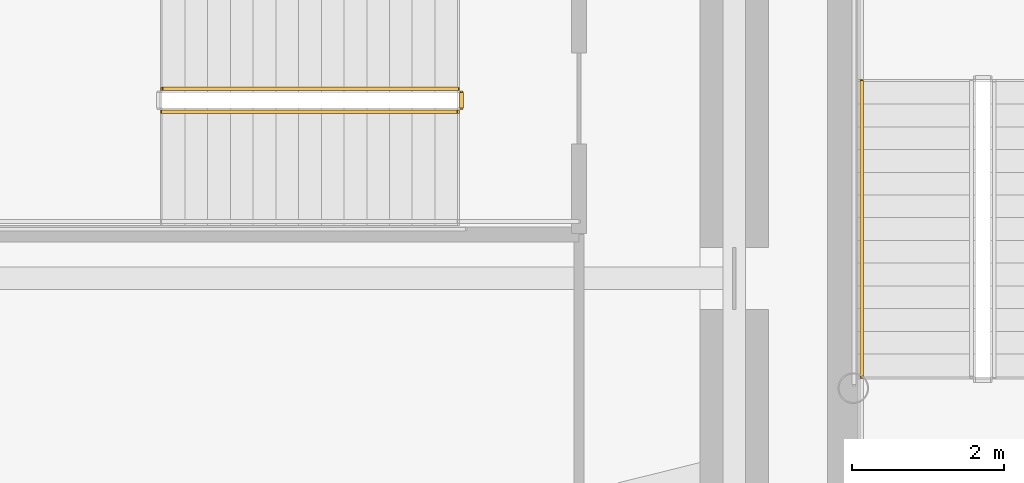
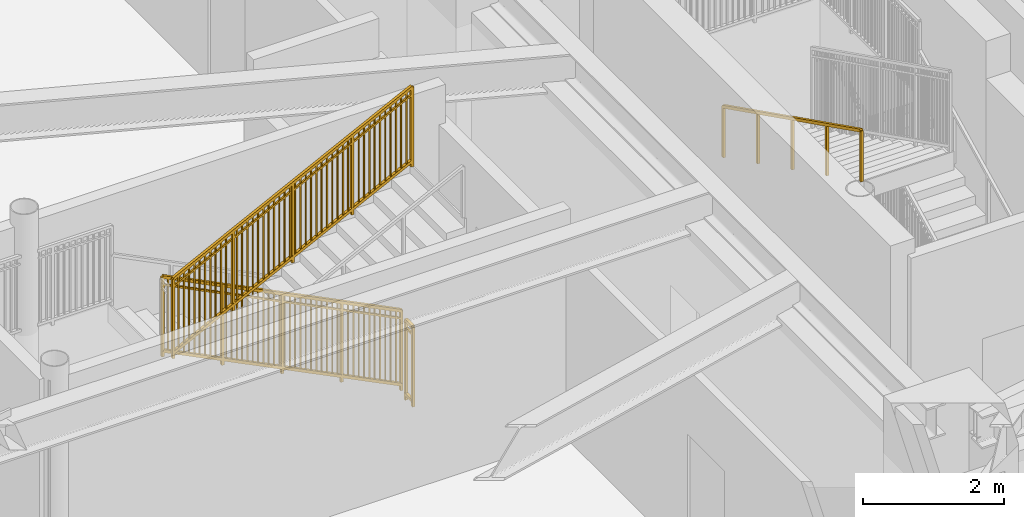
# One storey, part 26 of 35: 4 railings.
"""IFC4 building model written with IfcOpenShell, lengths in metres."""

from ifc_helpers import new_model, si_unit, direction, frame, origin, origin_2d, place, context, subcontext, project, spatial, rectangle, extrude, source, transform, mapped, material, type_object, element, save


model = new_model("IFC4")

# Units and contexts
model_context = context("Model", 3, precision=1e-05, world=origin(), true_north=direction((0.0, 1.0)))
body_context = subcontext(model_context, "Body", "Model", "MODEL_VIEW")
ifc_project = project(units=[si_unit("LENGTHUNIT", "METRE"), si_unit("AREAUNIT", "SQUARE_METRE"), si_unit("VOLUMEUNIT", "CUBIC_METRE"), si_unit("PLANEANGLEUNIT", "RADIAN"), si_unit("MASSUNIT", "GRAM", prefix="KILO")], contexts=[model_context])

# Site, building, storey
site_placement = place(None, origin())
site = spatial("IfcSite", under=ifc_project, at=site_placement, CompositionType="ELEMENT")
building_placement = place(site_placement, origin())
building = spatial("IfcBuilding", under=site, at=building_placement, Name="Linh Dai School and Residence Tower", CompositionType="ELEMENT")
storey_placement = place(building_placement, frame((0.0, 0.0, 32.39990234375)))
storey = spatial("IfcBuildingStorey", under=building, at=storey_placement, Name="L07", CompositionType="ELEMENT", Elevation=32.39990234375)

# Railings
ifc_material_1 = material(Name="Brushed Stainless Steel Handrail", Category="steel")
railing_type_1 = type_object("IfcRailingType", Name="RL-ST-HANDRAIL-900", PredefinedType="HANDRAIL", material=ifc_material_1)
shared_shape_1 = source(origin(), body_context, "Body", "SweptSolid", [
    extrude(rectangle(XDim=0.048095703125, YDim=0.048095703125, at=origin_2d()), frame((0.0, 0.0, 0.8759765625), z_axis=(0.0, -0.894415993023, 0.447235990752), x_axis=(1.0, 0.0, 0.0)), (0.0, 0.0, 1.0), 4.360595703125),
    extrude(rectangle(XDim=0.0419921875, YDim=0.0419921875, at=origin_2d()), origin(), (0.0, 0.0, 1.0), 0.8759765625),
    extrude(rectangle(XDim=0.0419921875, YDim=0.0419921875, at=origin_2d()), frame((0.0, -0.97509765625, 0.487548828125)), (0.0, 0.0, 1.0), 0.8759765625),
    extrude(rectangle(XDim=0.0419921875, YDim=0.0419921875, at=origin_2d()), frame((0.0, -1.9501953125, 0.97509765625)), (0.0, 0.0, 1.0), 0.8759765625),
    extrude(rectangle(XDim=0.0419921875, YDim=0.0419921875, at=origin_2d()), frame((0.0, -2.925048828125, 1.462646484375)), (0.0, 0.0, 1.0), 0.8759765625),
    extrude(rectangle(XDim=0.0419921875, YDim=0.0419921875, at=origin_2d()), frame((0.0, -3.900146484375, 1.9501953125)), (0.0, 0.0, 1.0), 0.8759765625),
])
railing_1_placement = place(storey_placement, frame((27.72998046875, 29.60009765625, 2.25)))
element("IfcRailing", 1, at=railing_1_placement, inside=storey, type_object=railing_type_1, Name="L07 ST1 stair handrail 2", PredefinedType="HANDRAIL", context=body_context, shape_type="MappedRepresentation", body=[
    mapped(shared_shape_1, transform((0.0, 0.0, 0.0), x_axis=(1.0, 0.0, 0.0), y_axis=(0.0, 1.0, 0.0), z_axis=(0.0, 0.0, 1.0), scale=1.0)),
])
ifc_material_2 = material(Name="Structural Steel S355JR", Category="steel")
railing_type_2 = type_object("IfcRailingType", Name="RL-ST-GUARD-1400", PredefinedType="GUARDRAIL", material=ifc_material_2)
shared_shape_2 = source(origin(), body_context, "Body", "SweptSolid", [
    extrude(rectangle(XDim=0.048095703125, YDim=0.048095703125, at=origin_2d()), frame((0.0, 0.0, 1.3759765625), z_axis=(0.0, -1.0, 0.0), x_axis=(1.0, 0.0, 0.0)), (0.0, 0.0, 1.0), 0.199951171875),
    extrude(rectangle(XDim=0.048095703125, YDim=0.048095703125, at=origin_2d()), frame((0.0, 0.0, 0.10009765625), z_axis=(0.0, -1.0, 0.0), x_axis=(1.0, 0.0, 0.0)), (0.0, 0.0, 1.0), 0.199951171875),
    extrude(rectangle(XDim=0.030029296875, YDim=0.030029296875, at=origin_2d()), frame((0.0, 0.0, 1.239990234375), z_axis=(0.0, -1.0, 0.0), x_axis=(1.0, 0.0, 0.0)), (0.0, 0.0, 1.0), 0.199951171875),
    extrude(rectangle(XDim=0.0419921875, YDim=0.0419921875, at=origin_2d()), origin(), (0.0, 0.0, 1.0), 1.3759765625),
    extrude(rectangle(XDim=0.0419921875, YDim=0.0419921875, at=origin_2d()), frame((0.0, -0.199951171875, 0.0)), (0.0, 0.0, 1.0), 1.3759765625),
])
railing_2_placement = place(storey_placement, frame((22.449951171875, 29.449951171875, 0.0)))
element("IfcRailing", 2, at=railing_2_placement, inside=storey, type_object=railing_type_2, Name="L07 STS1 stair guard 7", PredefinedType="GUARDRAIL", context=body_context, shape_type="MappedRepresentation", body=[
    mapped(shared_shape_2, transform((0.0, 0.0, 0.0), x_axis=(1.0, 0.0, 0.0), y_axis=(0.0, 1.0, 0.0), z_axis=(0.0, 0.0, 1.0), scale=1.0)),
])
shared_shape_3 = source(origin(), body_context, "Body", "SweptSolid", [
    extrude(rectangle(XDim=0.048095703125, YDim=0.048095703125, at=origin_2d()), frame((0.0, 0.0, 1.3759765625), z_axis=(-0.894427191, 0.0, 0.4472135955), x_axis=(0.0, -1.0, 0.0)), (0.0, 0.0, 1.0), 4.360107421875),
    extrude(rectangle(XDim=0.048095703125, YDim=0.048095703125, at=origin_2d()), frame((0.0, 0.0, 0.10009765625), z_axis=(-0.894427191, 0.0, 0.4472135955), x_axis=(0.0, -1.0, 0.0)), (0.0, 0.0, 1.0), 4.360107421875),
    extrude(rectangle(XDim=0.030029296875, YDim=0.030029296875, at=origin_2d()), frame((0.0, 0.0, 1.239990234375), z_axis=(-0.894427191, 0.0, 0.4472135955), x_axis=(0.0, -1.0, 0.0)), (0.0, 0.0, 1.0), 4.360107421875),
    extrude(rectangle(XDim=0.02001953125, YDim=0.02001953125, at=origin_2d()), frame((-0.086669921875, 0.0, 0.143310546875)), (0.0, 0.0, 1.0), 1.251708984375),
    extrude(rectangle(XDim=0.02001953125, YDim=0.02001953125, at=origin_2d()), frame((-0.17333984375, 0.0, 0.186767578125)), (0.0, 0.0, 1.0), 1.251708984375),
    extrude(rectangle(XDim=0.02001953125, YDim=0.02001953125, at=origin_2d()), frame((-0.260009765625, 0.0, 0.22998046875)), (0.0, 0.0, 1.0), 1.251708984375),
    extrude(rectangle(XDim=0.02001953125, YDim=0.02001953125, at=origin_2d()), frame((-0.3466796875, 0.0, 0.2734375)), (0.0, 0.0, 1.0), 1.251708984375),
    extrude(rectangle(XDim=0.02001953125, YDim=0.02001953125, at=origin_2d()), frame((-0.433349609375, 0.0, 0.316650390625)), (0.0, 0.0, 1.0), 1.251708984375),
    extrude(rectangle(XDim=0.02001953125, YDim=0.02001953125, at=origin_2d()), frame((-0.52001953125, 0.0, 0.360107421875)), (0.0, 0.0, 1.0), 1.251708984375),
    extrude(rectangle(XDim=0.02001953125, YDim=0.02001953125, at=origin_2d()), frame((-0.606689453125, 0.0, 0.4033203125)), (0.0, 0.0, 1.0), 1.251708984375),
    extrude(rectangle(XDim=0.02001953125, YDim=0.02001953125, at=origin_2d()), frame((-0.693359375, 0.0, 0.44677734375)), (0.0, 0.0, 1.0), 1.251708984375),
    extrude(rectangle(XDim=0.02001953125, YDim=0.02001953125, at=origin_2d()), frame((-0.780029296875, 0.0, 0.489990234375)), (0.0, 0.0, 1.0), 1.251708984375),
    extrude(rectangle(XDim=0.02001953125, YDim=0.02001953125, at=origin_2d()), frame((-0.86669921875, 0.0, 0.533447265625)), (0.0, 0.0, 1.0), 1.251708984375),
    extrude(rectangle(XDim=0.02001953125, YDim=0.02001953125, at=origin_2d()), frame((-1.0400390625, 0.0, 0.6201171875)), (0.0, 0.0, 1.0), 1.251708984375),
    extrude(rectangle(XDim=0.02001953125, YDim=0.02001953125, at=origin_2d()), frame((-1.126708984375, 0.0, 0.663330078125)), (0.0, 0.0, 1.0), 1.251708984375),
    extrude(rectangle(XDim=0.02001953125, YDim=0.02001953125, at=origin_2d()), frame((-1.21337890625, 0.0, 0.706787109375)), (0.0, 0.0, 1.0), 1.251708984375),
    extrude(rectangle(XDim=0.02001953125, YDim=0.02001953125, at=origin_2d()), frame((-1.300048828125, 0.0, 0.75)), (0.0, 0.0, 1.0), 1.251708984375),
    extrude(rectangle(XDim=0.02001953125, YDim=0.02001953125, at=origin_2d()), frame((-1.38671875, 0.0, 0.79345703125)), (0.0, 0.0, 1.0), 1.251708984375),
    extrude(rectangle(XDim=0.02001953125, YDim=0.02001953125, at=origin_2d()), frame((-1.473388671875, 0.0, 0.836669921875)), (0.0, 0.0, 1.0), 1.251708984375),
    extrude(rectangle(XDim=0.02001953125, YDim=0.02001953125, at=origin_2d()), frame((-1.56005859375, 0.0, 0.880126953125)), (0.0, 0.0, 1.0), 1.251708984375),
    extrude(rectangle(XDim=0.02001953125, YDim=0.02001953125, at=origin_2d()), frame((-1.646728515625, 0.0, 0.92333984375)), (0.0, 0.0, 1.0), 1.251708984375),
    extrude(rectangle(XDim=0.02001953125, YDim=0.02001953125, at=origin_2d()), frame((-1.7333984375, 0.0, 0.966796875)), (0.0, 0.0, 1.0), 1.251708984375),
    extrude(rectangle(XDim=0.02001953125, YDim=0.02001953125, at=origin_2d()), frame((-1.820068359375, 0.0, 1.010009765625)), (0.0, 0.0, 1.0), 1.251708984375),
    extrude(rectangle(XDim=0.02001953125, YDim=0.02001953125, at=origin_2d()), frame((-1.90673828125, 0.0, 1.053466796875)), (0.0, 0.0, 1.0), 1.251708984375),
    extrude(rectangle(XDim=0.02001953125, YDim=0.02001953125, at=origin_2d()), frame((-1.9931640625, 0.0, 1.0966796875)), (0.0, 0.0, 1.0), 1.251708984375),
    extrude(rectangle(XDim=0.02001953125, YDim=0.02001953125, at=origin_2d()), frame((-2.079833984375, 0.0, 1.14013671875)), (0.0, 0.0, 1.0), 1.251708984375),
    extrude(rectangle(XDim=0.02001953125, YDim=0.02001953125, at=origin_2d()), frame((-2.16650390625, 0.0, 1.183349609375)), (0.0, 0.0, 1.0), 1.251708984375),
    extrude(rectangle(XDim=0.02001953125, YDim=0.02001953125, at=origin_2d()), frame((-2.253173828125, 0.0, 1.226806640625)), (0.0, 0.0, 1.0), 1.251708984375),
    extrude(rectangle(XDim=0.02001953125, YDim=0.02001953125, at=origin_2d()), frame((-2.33984375, 0.0, 1.27001953125)), (0.0, 0.0, 1.0), 1.251708984375),
    extrude(rectangle(XDim=0.02001953125, YDim=0.02001953125, at=origin_2d()), frame((-2.426513671875, 0.0, 1.3134765625)), (0.0, 0.0, 1.0), 1.251708984375),
    extrude(rectangle(XDim=0.02001953125, YDim=0.02001953125, at=origin_2d()), frame((-2.51318359375, 0.0, 1.356689453125)), (0.0, 0.0, 1.0), 1.251708984375),
    extrude(rectangle(XDim=0.02001953125, YDim=0.02001953125, at=origin_2d()), frame((-2.599853515625, 0.0, 1.400146484375)), (0.0, 0.0, 1.0), 1.251708984375),
    extrude(rectangle(XDim=0.02001953125, YDim=0.02001953125, at=origin_2d()), frame((-2.6865234375, 0.0, 1.443359375)), (0.0, 0.0, 1.0), 1.251708984375),
    extrude(rectangle(XDim=0.02001953125, YDim=0.02001953125, at=origin_2d()), frame((-2.773193359375, 0.0, 1.48681640625)), (0.0, 0.0, 1.0), 1.251708984375),
    extrude(rectangle(XDim=0.02001953125, YDim=0.02001953125, at=origin_2d()), frame((-2.85986328125, 0.0, 1.530029296875)), (0.0, 0.0, 1.0), 1.251708984375),
    extrude(rectangle(XDim=0.02001953125, YDim=0.02001953125, at=origin_2d()), frame((-3.033203125, 0.0, 1.61669921875)), (0.0, 0.0, 1.0), 1.251708984375),
    extrude(rectangle(XDim=0.02001953125, YDim=0.02001953125, at=origin_2d()), frame((-3.119873046875, 0.0, 1.66015625)), (0.0, 0.0, 1.0), 1.251708984375),
    extrude(rectangle(XDim=0.02001953125, YDim=0.02001953125, at=origin_2d()), frame((-3.20654296875, 0.0, 1.703369140625)), (0.0, 0.0, 1.0), 1.251708984375),
    extrude(rectangle(XDim=0.02001953125, YDim=0.02001953125, at=origin_2d()), frame((-3.293212890625, 0.0, 1.746826171875)), (0.0, 0.0, 1.0), 1.251708984375),
    extrude(rectangle(XDim=0.02001953125, YDim=0.02001953125, at=origin_2d()), frame((-3.3798828125, 0.0, 1.7900390625)), (0.0, 0.0, 1.0), 1.251708984375),
    extrude(rectangle(XDim=0.02001953125, YDim=0.02001953125, at=origin_2d()), frame((-3.466552734375, 0.0, 1.83349609375)), (0.0, 0.0, 1.0), 1.251708984375),
    extrude(rectangle(XDim=0.02001953125, YDim=0.02001953125, at=origin_2d()), frame((-3.55322265625, 0.0, 1.876708984375)), (0.0, 0.0, 1.0), 1.251708984375),
    extrude(rectangle(XDim=0.02001953125, YDim=0.02001953125, at=origin_2d()), frame((-3.639892578125, 0.0, 1.920166015625)), (0.0, 0.0, 1.0), 1.251708984375),
    extrude(rectangle(XDim=0.02001953125, YDim=0.02001953125, at=origin_2d()), frame((-3.7265625, 0.0, 1.96337890625)), (0.0, 0.0, 1.0), 1.251708984375),
    extrude(rectangle(XDim=0.02001953125, YDim=0.02001953125, at=origin_2d()), frame((-3.813232421875, 0.0, 2.0068359375)), (0.0, 0.0, 1.0), 1.251708984375),
    extrude(rectangle(XDim=0.0419921875, YDim=0.0419921875, at=origin_2d()), origin(), (0.0, 0.0, 1.0), 1.3759765625),
    extrude(rectangle(XDim=0.0419921875, YDim=0.0419921875, at=origin_2d()), frame((-0.97509765625, 0.0, 0.487548828125)), (0.0, 0.0, 1.0), 1.3759765625),
    extrude(rectangle(XDim=0.0419921875, YDim=0.0419921875, at=origin_2d()), frame((-1.949951171875, 0.0, 0.97509765625)), (0.0, 0.0, 1.0), 1.3759765625),
    extrude(rectangle(XDim=0.0419921875, YDim=0.0419921875, at=origin_2d()), frame((-2.9248046875, 0.0, 1.46240234375)), (0.0, 0.0, 1.0), 1.3759765625),
    extrude(rectangle(XDim=0.0419921875, YDim=0.0419921875, at=origin_2d()), frame((-3.89990234375, 0.0, 1.949951171875)), (0.0, 0.0, 1.0), 1.3759765625),
])
railing_3_placement = place(storey_placement, frame((22.39990234375, 29.5, 0.150146484375)))
element("IfcRailing", 3, at=railing_3_placement, inside=storey, type_object=railing_type_2, Name="L07 STS1 stair guard 1", PredefinedType="GUARDRAIL", context=body_context, shape_type="MappedRepresentation", body=[
    mapped(shared_shape_3, transform((0.0, 0.0, 0.0), x_axis=(1.0, 0.0, 0.0), y_axis=(0.0, 1.0, 0.0), z_axis=(0.0, 0.0, 1.0), scale=1.0)),
])
shared_shape_4 = source(origin(), body_context, "Body", "SweptSolid", [
    extrude(rectangle(XDim=0.048095703125, YDim=0.048095703125, at=origin_2d()), frame((0.0, 0.0, 1.3759765625), z_axis=(0.894404793364, 0.0, 0.447258387967), x_axis=(0.0, 1.0, 0.0)), (0.0, 0.0, 1.0), 4.3603515625),
    extrude(rectangle(XDim=0.048095703125, YDim=0.048095703125, at=origin_2d()), frame((0.0, 0.0, 0.10009765625), z_axis=(0.894404793364, 0.0, 0.447258387967), x_axis=(0.0, 1.0, 0.0)), (0.0, 0.0, 1.0), 4.3603515625),
    extrude(rectangle(XDim=0.030029296875, YDim=0.030029296875, at=origin_2d()), frame((0.0, 0.0, 1.239990234375), z_axis=(0.894404793364, 0.0, 0.447258387967), x_axis=(0.0, 1.0, 0.0)), (0.0, 0.0, 1.0), 4.3603515625),
    extrude(rectangle(XDim=0.02001953125, YDim=0.02001953125, at=origin_2d()), frame((0.086669921875, 0.0, 0.1435546875)), (0.0, 0.0, 1.0), 1.251708984375),
    extrude(rectangle(XDim=0.02001953125, YDim=0.02001953125, at=origin_2d()), frame((0.17333984375, 0.0, 0.186767578125)), (0.0, 0.0, 1.0), 1.251708984375),
    extrude(rectangle(XDim=0.02001953125, YDim=0.02001953125, at=origin_2d()), frame((0.260009765625, 0.0, 0.230224609375)), (0.0, 0.0, 1.0), 1.251708984375),
    extrude(rectangle(XDim=0.02001953125, YDim=0.02001953125, at=origin_2d()), frame((0.3466796875, 0.0, 0.2734375)), (0.0, 0.0, 1.0), 1.251708984375),
    extrude(rectangle(XDim=0.02001953125, YDim=0.02001953125, at=origin_2d()), frame((0.433349609375, 0.0, 0.31689453125)), (0.0, 0.0, 1.0), 1.251708984375),
    extrude(rectangle(XDim=0.02001953125, YDim=0.02001953125, at=origin_2d()), frame((0.52001953125, 0.0, 0.360107421875)), (0.0, 0.0, 1.0), 1.251708984375),
    extrude(rectangle(XDim=0.02001953125, YDim=0.02001953125, at=origin_2d()), frame((0.606689453125, 0.0, 0.403564453125)), (0.0, 0.0, 1.0), 1.251708984375),
    extrude(rectangle(XDim=0.02001953125, YDim=0.02001953125, at=origin_2d()), frame((0.693359375, 0.0, 0.44677734375)), (0.0, 0.0, 1.0), 1.251708984375),
    extrude(rectangle(XDim=0.02001953125, YDim=0.02001953125, at=origin_2d()), frame((0.780029296875, 0.0, 0.490234375)), (0.0, 0.0, 1.0), 1.251708984375),
    extrude(rectangle(XDim=0.02001953125, YDim=0.02001953125, at=origin_2d()), frame((0.86669921875, 0.0, 0.533447265625)), (0.0, 0.0, 1.0), 1.251708984375),
    extrude(rectangle(XDim=0.02001953125, YDim=0.02001953125, at=origin_2d()), frame((1.0400390625, 0.0, 0.6201171875)), (0.0, 0.0, 1.0), 1.251708984375),
    extrude(rectangle(XDim=0.02001953125, YDim=0.02001953125, at=origin_2d()), frame((1.126708984375, 0.0, 0.66357421875)), (0.0, 0.0, 1.0), 1.251708984375),
    extrude(rectangle(XDim=0.02001953125, YDim=0.02001953125, at=origin_2d()), frame((1.21337890625, 0.0, 0.706787109375)), (0.0, 0.0, 1.0), 1.251708984375),
    extrude(rectangle(XDim=0.02001953125, YDim=0.02001953125, at=origin_2d()), frame((1.300048828125, 0.0, 0.750244140625)), (0.0, 0.0, 1.0), 1.251708984375),
    extrude(rectangle(XDim=0.02001953125, YDim=0.02001953125, at=origin_2d()), frame((1.38671875, 0.0, 0.79345703125)), (0.0, 0.0, 1.0), 1.251708984375),
    extrude(rectangle(XDim=0.02001953125, YDim=0.02001953125, at=origin_2d()), frame((1.473388671875, 0.0, 0.8369140625)), (0.0, 0.0, 1.0), 1.251708984375),
    extrude(rectangle(XDim=0.02001953125, YDim=0.02001953125, at=origin_2d()), frame((1.56005859375, 0.0, 0.880126953125)), (0.0, 0.0, 1.0), 1.251708984375),
    extrude(rectangle(XDim=0.02001953125, YDim=0.02001953125, at=origin_2d()), frame((1.646728515625, 0.0, 0.923583984375)), (0.0, 0.0, 1.0), 1.251708984375),
    extrude(rectangle(XDim=0.02001953125, YDim=0.02001953125, at=origin_2d()), frame((1.7333984375, 0.0, 0.966796875)), (0.0, 0.0, 1.0), 1.251708984375),
    extrude(rectangle(XDim=0.02001953125, YDim=0.02001953125, at=origin_2d()), frame((1.820068359375, 0.0, 1.01025390625)), (0.0, 0.0, 1.0), 1.251708984375),
    extrude(rectangle(XDim=0.02001953125, YDim=0.02001953125, at=origin_2d()), frame((1.90673828125, 0.0, 1.053466796875)), (0.0, 0.0, 1.0), 1.251708984375),
    extrude(rectangle(XDim=0.02001953125, YDim=0.02001953125, at=origin_2d()), frame((1.9931640625, 0.0, 1.096923828125)), (0.0, 0.0, 1.0), 1.251708984375),
    extrude(rectangle(XDim=0.02001953125, YDim=0.02001953125, at=origin_2d()), frame((2.079833984375, 0.0, 1.14013671875)), (0.0, 0.0, 1.0), 1.251708984375),
    extrude(rectangle(XDim=0.02001953125, YDim=0.02001953125, at=origin_2d()), frame((2.16650390625, 0.0, 1.18359375)), (0.0, 0.0, 1.0), 1.251708984375),
    extrude(rectangle(XDim=0.02001953125, YDim=0.02001953125, at=origin_2d()), frame((2.253173828125, 0.0, 1.226806640625)), (0.0, 0.0, 1.0), 1.251708984375),
    extrude(rectangle(XDim=0.02001953125, YDim=0.02001953125, at=origin_2d()), frame((2.33984375, 0.0, 1.270263671875)), (0.0, 0.0, 1.0), 1.251708984375),
    extrude(rectangle(XDim=0.02001953125, YDim=0.02001953125, at=origin_2d()), frame((2.426513671875, 0.0, 1.3134765625)), (0.0, 0.0, 1.0), 1.251708984375),
    extrude(rectangle(XDim=0.02001953125, YDim=0.02001953125, at=origin_2d()), frame((2.51318359375, 0.0, 1.35693359375)), (0.0, 0.0, 1.0), 1.251708984375),
    extrude(rectangle(XDim=0.02001953125, YDim=0.02001953125, at=origin_2d()), frame((2.599853515625, 0.0, 1.400146484375)), (0.0, 0.0, 1.0), 1.251708984375),
    extrude(rectangle(XDim=0.02001953125, YDim=0.02001953125, at=origin_2d()), frame((2.6865234375, 0.0, 1.443603515625)), (0.0, 0.0, 1.0), 1.251708984375),
    extrude(rectangle(XDim=0.02001953125, YDim=0.02001953125, at=origin_2d()), frame((2.773193359375, 0.0, 1.48681640625)), (0.0, 0.0, 1.0), 1.251708984375),
    extrude(rectangle(XDim=0.02001953125, YDim=0.02001953125, at=origin_2d()), frame((2.85986328125, 0.0, 1.5302734375)), (0.0, 0.0, 1.0), 1.251708984375),
    extrude(rectangle(XDim=0.02001953125, YDim=0.02001953125, at=origin_2d()), frame((3.033203125, 0.0, 1.616943359375)), (0.0, 0.0, 1.0), 1.251708984375),
    extrude(rectangle(XDim=0.02001953125, YDim=0.02001953125, at=origin_2d()), frame((3.119873046875, 0.0, 1.66015625)), (0.0, 0.0, 1.0), 1.251708984375),
    extrude(rectangle(XDim=0.02001953125, YDim=0.02001953125, at=origin_2d()), frame((3.20654296875, 0.0, 1.70361328125)), (0.0, 0.0, 1.0), 1.251708984375),
    extrude(rectangle(XDim=0.02001953125, YDim=0.02001953125, at=origin_2d()), frame((3.293212890625, 0.0, 1.746826171875)), (0.0, 0.0, 1.0), 1.251708984375),
    extrude(rectangle(XDim=0.02001953125, YDim=0.02001953125, at=origin_2d()), frame((3.3798828125, 0.0, 1.790283203125)), (0.0, 0.0, 1.0), 1.251708984375),
    extrude(rectangle(XDim=0.02001953125, YDim=0.02001953125, at=origin_2d()), frame((3.466552734375, 0.0, 1.83349609375)), (0.0, 0.0, 1.0), 1.251708984375),
    extrude(rectangle(XDim=0.02001953125, YDim=0.02001953125, at=origin_2d()), frame((3.55322265625, 0.0, 1.876953125)), (0.0, 0.0, 1.0), 1.251708984375),
    extrude(rectangle(XDim=0.02001953125, YDim=0.02001953125, at=origin_2d()), frame((3.639892578125, 0.0, 1.920166015625)), (0.0, 0.0, 1.0), 1.251708984375),
    extrude(rectangle(XDim=0.02001953125, YDim=0.02001953125, at=origin_2d()), frame((3.7265625, 0.0, 1.963623046875)), (0.0, 0.0, 1.0), 1.251708984375),
    extrude(rectangle(XDim=0.02001953125, YDim=0.02001953125, at=origin_2d()), frame((3.813232421875, 0.0, 2.0068359375)), (0.0, 0.0, 1.0), 1.251708984375),
    extrude(rectangle(XDim=0.0419921875, YDim=0.0419921875, at=origin_2d()), origin(), (0.0, 0.0, 1.0), 1.3759765625),
    extrude(rectangle(XDim=0.0419921875, YDim=0.0419921875, at=origin_2d()), frame((0.97509765625, 0.0, 0.487548828125)), (0.0, 0.0, 1.0), 1.3759765625),
    extrude(rectangle(XDim=0.0419921875, YDim=0.0419921875, at=origin_2d()), frame((1.949951171875, 0.0, 0.97509765625)), (0.0, 0.0, 1.0), 1.3759765625),
    extrude(rectangle(XDim=0.0419921875, YDim=0.0419921875, at=origin_2d()), frame((2.9248046875, 0.0, 1.462646484375)), (0.0, 0.0, 1.0), 1.3759765625),
    extrude(rectangle(XDim=0.0419921875, YDim=0.0419921875, at=origin_2d()), frame((3.89990234375, 0.0, 1.9501953125)), (0.0, 0.0, 1.0), 1.3759765625),
])
railing_4_placement = place(storey_placement, frame((18.5, 29.199951171875, 2.25)))
element("IfcRailing", 4, at=railing_4_placement, inside=storey, type_object=railing_type_2, Name="L07 STS1 stair guard 6", PredefinedType="GUARDRAIL", context=body_context, shape_type="MappedRepresentation", body=[
    mapped(shared_shape_4, transform((0.0, 0.0, 0.0), x_axis=(1.0, 0.0, 0.0), y_axis=(0.0, 1.0, 0.0), z_axis=(0.0, 0.0, 1.0), scale=1.0)),
])

save(model, "model.ifc")
